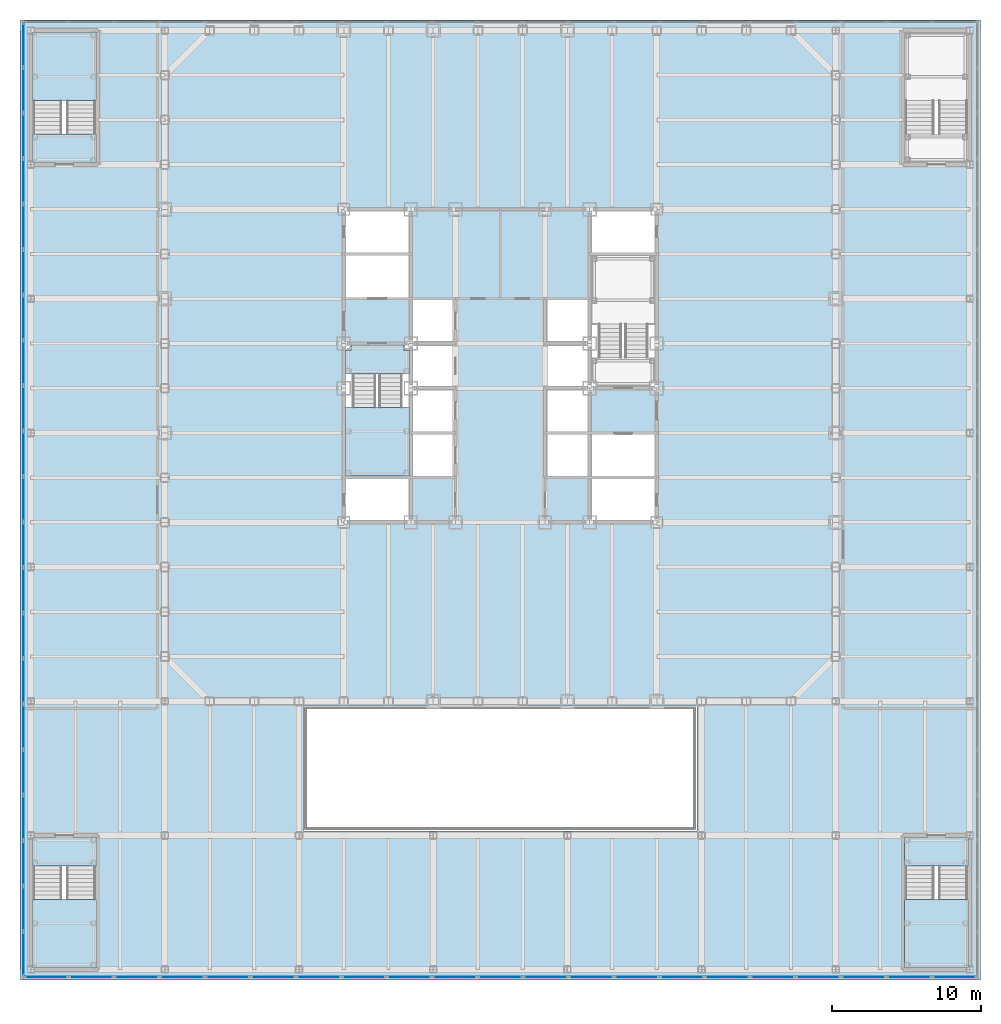
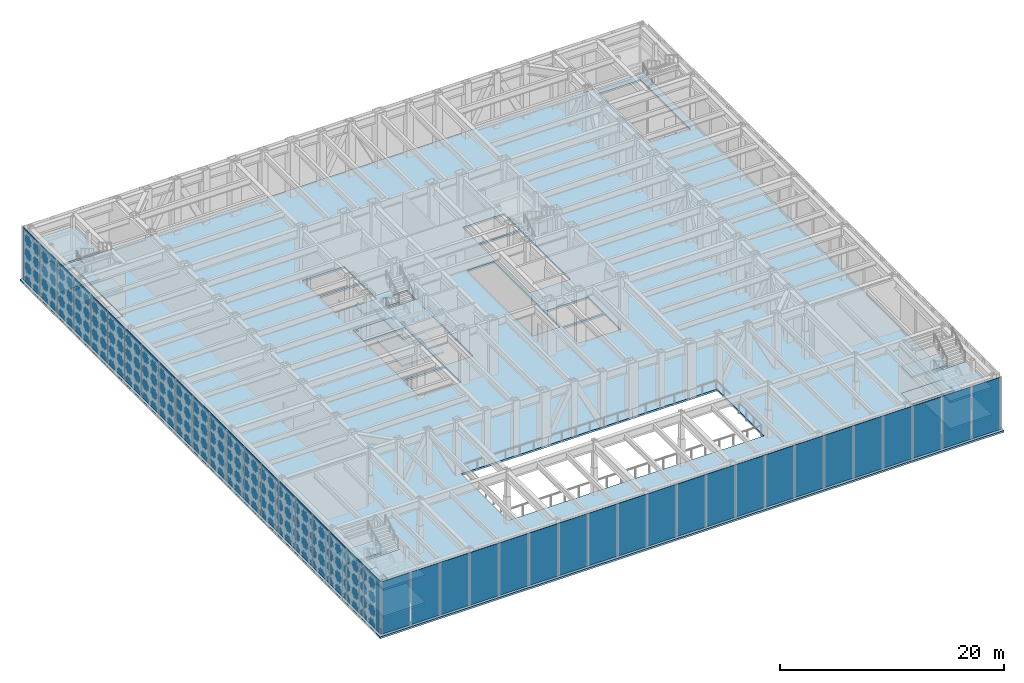
# One storey, part 13 of 32: 42 plates, 17 slabs, 6 elements without a shape of their own.
"""IFC4 building model written with IfcOpenShell, lengths in metres."""

from ifc_helpers import new_model, si_unit, direction, frame, origin, origin_2d, place, context, subcontext, project, spatial, polyline, rectangle, outline, extrude, material, layer, layer_set, type_object, element, aggregate, save


model = new_model("IFC4")

# Units and contexts
model_context = context("Model", 3, precision=1e-05, world=origin(), true_north=direction((0.0, 1.0)))
body_context = subcontext(model_context, "Body", "Model", "MODEL_VIEW")
ifc_project = project(units=[si_unit("LENGTHUNIT", "METRE"), si_unit("AREAUNIT", "SQUARE_METRE"), si_unit("VOLUMEUNIT", "CUBIC_METRE"), si_unit("PLANEANGLEUNIT", "RADIAN"), si_unit("MASSUNIT", "GRAM", prefix="KILO")], contexts=[model_context])

# Site, building, storey
site_placement = place(None, origin())
site = spatial("IfcSite", under=ifc_project, at=site_placement, CompositionType="ELEMENT")
building_placement = place(site_placement, origin())
building = spatial("IfcBuilding", under=site, at=building_placement, Name="Chuquiago Exchange Tower", CompositionType="ELEMENT")
storey_placement = place(building_placement, frame((0.0, 0.0, 13.5)))
storey = spatial("IfcBuildingStorey", under=building, at=storey_placement, Name="L02", CompositionType="ELEMENT", Elevation=13.5)

# Curtain wall, plates
ifc_material_1 = material(Name="Aluminium curtain wall system", Category="aluminium")
ifc_layer_1 = layer(ifc_material_1, 0.300048828125)
ifc_layer_set_1 = layer_set([ifc_layer_1], Name="CW4 podium curtain wall")
curtain_wall_type = type_object("IfcCurtainWallType", Name="CW4 podium curtain wall", PredefinedType="NOTDEFINED", material=ifc_layer_set_1)
curtain_wall_1_placement = place(storey_placement, origin())
curtain_wall_1 = element("IfcCurtainWall", 1, at=curtain_wall_1_placement, inside=storey, type_object=curtain_wall_type, Name="CW4 curtain wall L02", PredefinedType="NOTDEFINED")
ifc_material_2 = material(Name="Glass, insulating unit", Category="glass")
ifc_layer_2 = layer(ifc_material_2, 0.035888671875)
ifc_layer_set_2 = layer_set([ifc_layer_2], Name="CW4-P panel 36")
plate_type = type_object("IfcPlateType", Name="CW4-P panel 36", PredefinedType="CURTAIN_PANEL", material=ifc_layer_set_2)
plate_1_placement = place(storey_placement, frame((-7.95751953125, -18.5, 0.074951171875), z_axis=(0.0, 0.0, 1.0), x_axis=(1.0, 0.0, 0.0)))
plate_1 = element("IfcPlate", 2, at=plate_1_placement, type_object=plate_type, Name="CW4 panel 1.1", PredefinedType="CURTAIN_PANEL", context=body_context, shape_type="SweptSolid", body=[
    extrude(rectangle(XDim=2.93505859375, YDim=0.035888671875, at=origin_2d()), origin(), (0.0, 0.0, 1.0), 5.72509765625),
])
plate_2_placement = place(storey_placement, frame((-4.928466796875, -18.5, 0.074951171875), z_axis=(0.0, 0.0, 1.0), x_axis=(1.0, 0.0, 0.0)))
plate_2 = element("IfcPlate", 3, at=plate_2_placement, type_object=plate_type, Name="CW4 panel 2.1", PredefinedType="CURTAIN_PANEL", context=body_context, shape_type="SweptSolid", body=[
    extrude(rectangle(XDim=2.97265625, YDim=0.035888671875, at=origin_2d()), origin(), (0.0, 0.0, 1.0), 5.72509765625),
])
plate_3_placement = place(storey_placement, frame((-1.880859375, -18.5, 0.074951171875), z_axis=(0.0, 0.0, 1.0), x_axis=(1.0, 0.0, 0.0)))
plate_3 = element("IfcPlate", 4, at=plate_3_placement, type_object=plate_type, Name="CW4 panel 3.1", PredefinedType="CURTAIN_PANEL", context=body_context, shape_type="SweptSolid", body=[
    extrude(rectangle(XDim=2.97265625, YDim=0.035888671875, at=origin_2d()), origin(), (0.0, 0.0, 1.0), 5.72509765625),
])
plate_4_placement = place(storey_placement, frame((1.166748046875, -18.5, 0.074951171875), z_axis=(0.0, 0.0, 1.0), x_axis=(1.0, 0.0, 0.0)))
plate_4 = element("IfcPlate", 5, at=plate_4_placement, type_object=plate_type, Name="CW4 panel 4.1", PredefinedType="CURTAIN_PANEL", context=body_context, shape_type="SweptSolid", body=[
    extrude(rectangle(XDim=2.97265625, YDim=0.035888671875, at=origin_2d()), origin(), (0.0, 0.0, 1.0), 5.72509765625),
])
plate_5_placement = place(storey_placement, frame((4.21435546875, -18.5, 0.074951171875), z_axis=(0.0, 0.0, 1.0), x_axis=(1.0, 0.0, 0.0)))
plate_5 = element("IfcPlate", 6, at=plate_5_placement, type_object=plate_type, Name="CW4 panel 5.1", PredefinedType="CURTAIN_PANEL", context=body_context, shape_type="SweptSolid", body=[
    extrude(rectangle(XDim=2.97265625, YDim=0.035888671875, at=origin_2d()), origin(), (0.0, 0.0, 1.0), 5.72509765625),
])
plate_6_placement = place(storey_placement, frame((7.261962890625, -18.5, 0.074951171875), z_axis=(0.0, 0.0, 1.0), x_axis=(1.0, 0.0, 0.0)))
plate_6 = element("IfcPlate", 7, at=plate_6_placement, type_object=plate_type, Name="CW4 panel 6.1", PredefinedType="CURTAIN_PANEL", context=body_context, shape_type="SweptSolid", body=[
    extrude(rectangle(XDim=2.97265625, YDim=0.035888671875, at=origin_2d()), origin(), (0.0, 0.0, 1.0), 5.72509765625),
])
plate_7_placement = place(storey_placement, frame((10.3095703125, -18.5, 0.074951171875), z_axis=(0.0, 0.0, 1.0), x_axis=(1.0, 0.0, 0.0)))
plate_7 = element("IfcPlate", 8, at=plate_7_placement, type_object=plate_type, Name="CW4 panel 7.1", PredefinedType="CURTAIN_PANEL", context=body_context, shape_type="SweptSolid", body=[
    extrude(rectangle(XDim=2.97265625, YDim=0.035888671875, at=origin_2d()), origin(), (0.0, 0.0, 1.0), 5.72509765625),
])
plate_8_placement = place(storey_placement, frame((13.357177734375, -18.5, 0.074951171875), z_axis=(0.0, 0.0, 1.0), x_axis=(1.0, 0.0, 0.0)))
plate_8 = element("IfcPlate", 9, at=plate_8_placement, type_object=plate_type, Name="CW4 panel 8.1", PredefinedType="CURTAIN_PANEL", context=body_context, shape_type="SweptSolid", body=[
    extrude(rectangle(XDim=2.97265625, YDim=0.035888671875, at=origin_2d()), origin(), (0.0, 0.0, 1.0), 5.72509765625),
])
plate_9_placement = place(storey_placement, frame((16.40478515625, -18.5, 0.074951171875), z_axis=(0.0, 0.0, 1.0), x_axis=(1.0, 0.0, 0.0)))
plate_9 = element("IfcPlate", 10, at=plate_9_placement, type_object=plate_type, Name="CW4 panel 9.1", PredefinedType="CURTAIN_PANEL", context=body_context, shape_type="SweptSolid", body=[
    extrude(rectangle(XDim=2.97265625, YDim=0.035888671875, at=origin_2d()), origin(), (0.0, 0.0, 1.0), 5.72509765625),
])
plate_10_placement = place(storey_placement, frame((19.452392578125, -18.5, 0.074951171875), z_axis=(0.0, 0.0, 1.0), x_axis=(1.0, 0.0, 0.0)))
plate_10 = element("IfcPlate", 11, at=plate_10_placement, type_object=plate_type, Name="CW4 panel 10.1", PredefinedType="CURTAIN_PANEL", context=body_context, shape_type="SweptSolid", body=[
    extrude(rectangle(XDim=2.97265625, YDim=0.035888671875, at=origin_2d()), origin(), (0.0, 0.0, 1.0), 5.72509765625),
])
plate_11_placement = place(storey_placement, frame((22.5, -18.5, 0.074951171875), z_axis=(0.0, 0.0, 1.0), x_axis=(1.0, 0.0, 0.0)))
plate_11 = element("IfcPlate", 12, at=plate_11_placement, type_object=plate_type, Name="CW4 panel 11.1", PredefinedType="CURTAIN_PANEL", context=body_context, shape_type="SweptSolid", body=[
    extrude(rectangle(XDim=2.97265625, YDim=0.035888671875, at=origin_2d()), origin(), (0.0, 0.0, 1.0), 5.72509765625),
])
plate_12_placement = place(storey_placement, frame((25.547607421875, -18.5, 0.074951171875), z_axis=(0.0, 0.0, 1.0), x_axis=(1.0, 0.0, 0.0)))
plate_12 = element("IfcPlate", 13, at=plate_12_placement, type_object=plate_type, Name="CW4 panel 12.1", PredefinedType="CURTAIN_PANEL", context=body_context, shape_type="SweptSolid", body=[
    extrude(rectangle(XDim=2.97265625, YDim=0.035888671875, at=origin_2d()), origin(), (0.0, 0.0, 1.0), 5.72509765625),
])
plate_13_placement = place(storey_placement, frame((28.59521484375, -18.5, 0.074951171875), z_axis=(0.0, 0.0, 1.0), x_axis=(1.0, 0.0, 0.0)))
plate_13 = element("IfcPlate", 14, at=plate_13_placement, type_object=plate_type, Name="CW4 panel 13.1", PredefinedType="CURTAIN_PANEL", context=body_context, shape_type="SweptSolid", body=[
    extrude(rectangle(XDim=2.97265625, YDim=0.035888671875, at=origin_2d()), origin(), (0.0, 0.0, 1.0), 5.72509765625),
])
plate_14_placement = place(storey_placement, frame((31.642822265625, -18.5, 0.074951171875), z_axis=(0.0, 0.0, 1.0), x_axis=(1.0, 0.0, 0.0)))
plate_14 = element("IfcPlate", 15, at=plate_14_placement, type_object=plate_type, Name="CW4 panel 14.1", PredefinedType="CURTAIN_PANEL", context=body_context, shape_type="SweptSolid", body=[
    extrude(rectangle(XDim=2.97265625, YDim=0.035888671875, at=origin_2d()), origin(), (0.0, 0.0, 1.0), 5.72509765625),
])
plate_15_placement = place(storey_placement, frame((34.6904296875, -18.5, 0.074951171875), z_axis=(0.0, 0.0, 1.0), x_axis=(1.0, 0.0, 0.0)))
plate_15 = element("IfcPlate", 16, at=plate_15_placement, type_object=plate_type, Name="CW4 panel 15.1", PredefinedType="CURTAIN_PANEL", context=body_context, shape_type="SweptSolid", body=[
    extrude(rectangle(XDim=2.97265625, YDim=0.035888671875, at=origin_2d()), origin(), (0.0, 0.0, 1.0), 5.72509765625),
])
plate_16_placement = place(storey_placement, frame((37.738037109375, -18.5, 0.074951171875), z_axis=(0.0, 0.0, 1.0), x_axis=(1.0, 0.0, 0.0)))
plate_16 = element("IfcPlate", 17, at=plate_16_placement, type_object=plate_type, Name="CW4 panel 16.1", PredefinedType="CURTAIN_PANEL", context=body_context, shape_type="SweptSolid", body=[
    extrude(rectangle(XDim=2.97265625, YDim=0.035888671875, at=origin_2d()), origin(), (0.0, 0.0, 1.0), 5.72509765625),
])
plate_17_placement = place(storey_placement, frame((40.78564453125, -18.5, 0.074951171875), z_axis=(0.0, 0.0, 1.0), x_axis=(1.0, 0.0, 0.0)))
plate_17 = element("IfcPlate", 18, at=plate_17_placement, type_object=plate_type, Name="CW4 panel 17.1", PredefinedType="CURTAIN_PANEL", context=body_context, shape_type="SweptSolid", body=[
    extrude(rectangle(XDim=2.97265625, YDim=0.035888671875, at=origin_2d()), origin(), (0.0, 0.0, 1.0), 5.72509765625),
])
plate_18_placement = place(storey_placement, frame((43.833251953125, -18.5, 0.074951171875), z_axis=(0.0, 0.0, 1.0), x_axis=(1.0, 0.0, 0.0)))
plate_18 = element("IfcPlate", 19, at=plate_18_placement, type_object=plate_type, Name="CW4 panel 18.1", PredefinedType="CURTAIN_PANEL", context=body_context, shape_type="SweptSolid", body=[
    extrude(rectangle(XDim=2.97265625, YDim=0.035888671875, at=origin_2d()), origin(), (0.0, 0.0, 1.0), 5.72509765625),
])
plate_19_placement = place(storey_placement, frame((46.880859375, -18.5, 0.074951171875), z_axis=(0.0, 0.0, 1.0), x_axis=(1.0, 0.0, 0.0)))
plate_19 = element("IfcPlate", 20, at=plate_19_placement, type_object=plate_type, Name="CW4 panel 19.1", PredefinedType="CURTAIN_PANEL", context=body_context, shape_type="SweptSolid", body=[
    extrude(rectangle(XDim=2.97265625, YDim=0.035888671875, at=origin_2d()), origin(), (0.0, 0.0, 1.0), 5.72509765625),
])
plate_20_placement = place(storey_placement, frame((49.928466796875, -18.5, 0.074951171875), z_axis=(0.0, 0.0, 1.0), x_axis=(1.0, 0.0, 0.0)))
plate_20 = element("IfcPlate", 21, at=plate_20_placement, type_object=plate_type, Name="CW4 panel 20.1", PredefinedType="CURTAIN_PANEL", context=body_context, shape_type="SweptSolid", body=[
    extrude(rectangle(XDim=2.97265625, YDim=0.035888671875, at=origin_2d()), origin(), (0.0, 0.0, 1.0), 5.72509765625),
])
plate_21_placement = place(storey_placement, frame((52.95751953125, -18.5, 0.074951171875), z_axis=(0.0, 0.0, 1.0), x_axis=(1.0, 0.0, 0.0)))
plate_21 = element("IfcPlate", 22, at=plate_21_placement, type_object=plate_type, Name="CW4 panel 21.1", PredefinedType="CURTAIN_PANEL", context=body_context, shape_type="SweptSolid", body=[
    extrude(rectangle(XDim=2.93505859375, YDim=0.035888671875, at=origin_2d()), origin(), (0.0, 0.0, 1.0), 5.72509765625),
])
aggregate(curtain_wall_1, [plate_1, plate_2, plate_3, plate_4, plate_5, plate_6, plate_7, plate_8, plate_9, plate_10, plate_11, plate_12, plate_13, plate_14, plate_15, plate_16, plate_17, plate_18, plate_19, plate_20, plate_21])

curtain_wall_2_placement = place(storey_placement, origin())
curtain_wall_2 = element("IfcCurtainWall", 23, at=curtain_wall_2_placement, inside=storey, type_object=curtain_wall_type, Name="CW4 curtain wall L02", PredefinedType="NOTDEFINED")
plate_22_placement = place(storey_placement, frame((-9.5, 44.03076171875, 0.074951171875), z_axis=(0.0, 0.0, 1.0), x_axis=(0.0, -1.0, 0.0)))
plate_22 = element("IfcPlate", 24, at=plate_22_placement, type_object=plate_type, Name="CW4 panel 1.1", PredefinedType="CURTAIN_PANEL", context=body_context, shape_type="SweptSolid", body=[
    extrude(rectangle(XDim=2.938720703125, YDim=0.035888671875, at=origin_2d()), origin(), (0.0, 0.0, 1.0), 5.72509765625),
])
plate_23_placement = place(storey_placement, frame((-9.5, 40.998291015625, 0.074951171875), z_axis=(0.0, 0.0, 1.0), x_axis=(0.0, -1.0, 0.0)))
plate_23 = element("IfcPlate", 25, at=plate_23_placement, type_object=plate_type, Name="CW4 panel 2.1", PredefinedType="CURTAIN_PANEL", context=body_context, shape_type="SweptSolid", body=[
    extrude(rectangle(XDim=2.97607421875, YDim=0.035888671875, at=origin_2d()), origin(), (0.0, 0.0, 1.0), 5.72509765625),
])
plate_24_placement = place(storey_placement, frame((-9.5, 37.947021484375, 0.074951171875), z_axis=(0.0, 0.0, 1.0), x_axis=(0.0, -1.0, 0.0)))
plate_24 = element("IfcPlate", 26, at=plate_24_placement, type_object=plate_type, Name="CW4 panel 3.1", PredefinedType="CURTAIN_PANEL", context=body_context, shape_type="SweptSolid", body=[
    extrude(rectangle(XDim=2.97607421875, YDim=0.035888671875, at=origin_2d()), origin(), (0.0, 0.0, 1.0), 5.72509765625),
])
plate_25_placement = place(storey_placement, frame((-9.5, 34.895751953125, 0.074951171875), z_axis=(0.0, 0.0, 1.0), x_axis=(0.0, -1.0, 0.0)))
plate_25 = element("IfcPlate", 27, at=plate_25_placement, type_object=plate_type, Name="CW4 panel 4.1", PredefinedType="CURTAIN_PANEL", context=body_context, shape_type="SweptSolid", body=[
    extrude(rectangle(XDim=2.97607421875, YDim=0.035888671875, at=origin_2d()), origin(), (0.0, 0.0, 1.0), 5.72509765625),
])
plate_26_placement = place(storey_placement, frame((-9.5, 31.8447265625, 0.074951171875), z_axis=(0.0, 0.0, 1.0), x_axis=(0.0, -1.0, 0.0)))
plate_26 = element("IfcPlate", 28, at=plate_26_placement, type_object=plate_type, Name="CW4 panel 5.1", PredefinedType="CURTAIN_PANEL", context=body_context, shape_type="SweptSolid", body=[
    extrude(rectangle(XDim=2.97607421875, YDim=0.035888671875, at=origin_2d()), origin(), (0.0, 0.0, 1.0), 5.72509765625),
])
plate_27_placement = place(storey_placement, frame((-9.5, 28.79345703125, 0.074951171875), z_axis=(0.0, 0.0, 1.0), x_axis=(0.0, -1.0, 0.0)))
plate_27 = element("IfcPlate", 29, at=plate_27_placement, type_object=plate_type, Name="CW4 panel 6.1", PredefinedType="CURTAIN_PANEL", context=body_context, shape_type="SweptSolid", body=[
    extrude(rectangle(XDim=2.97607421875, YDim=0.035888671875, at=origin_2d()), origin(), (0.0, 0.0, 1.0), 5.72509765625),
])
plate_28_placement = place(storey_placement, frame((-9.5, 25.7421875, 0.074951171875), z_axis=(0.0, 0.0, 1.0), x_axis=(0.0, -1.0, 0.0)))
plate_28 = element("IfcPlate", 30, at=plate_28_placement, type_object=plate_type, Name="CW4 panel 7.1", PredefinedType="CURTAIN_PANEL", context=body_context, shape_type="SweptSolid", body=[
    extrude(rectangle(XDim=2.97607421875, YDim=0.035888671875, at=origin_2d()), origin(), (0.0, 0.0, 1.0), 5.72509765625),
])
plate_29_placement = place(storey_placement, frame((-9.5, 22.691162109375, 0.074951171875), z_axis=(0.0, 0.0, 1.0), x_axis=(0.0, -1.0, 0.0)))
plate_29 = element("IfcPlate", 31, at=plate_29_placement, type_object=plate_type, Name="CW4 panel 8.1", PredefinedType="CURTAIN_PANEL", context=body_context, shape_type="SweptSolid", body=[
    extrude(rectangle(XDim=2.97607421875, YDim=0.035888671875, at=origin_2d()), origin(), (0.0, 0.0, 1.0), 5.72509765625),
])
plate_30_placement = place(storey_placement, frame((-9.5, 19.639892578125, 0.074951171875), z_axis=(0.0, 0.0, 1.0), x_axis=(0.0, -1.0, 0.0)))
plate_30 = element("IfcPlate", 32, at=plate_30_placement, type_object=plate_type, Name="CW4 panel 9.1", PredefinedType="CURTAIN_PANEL", context=body_context, shape_type="SweptSolid", body=[
    extrude(rectangle(XDim=2.97607421875, YDim=0.035888671875, at=origin_2d()), origin(), (0.0, 0.0, 1.0), 5.72509765625),
])
plate_31_placement = place(storey_placement, frame((-9.5, 16.588623046875, 0.074951171875), z_axis=(0.0, 0.0, 1.0), x_axis=(0.0, -1.0, 0.0)))
plate_31 = element("IfcPlate", 33, at=plate_31_placement, type_object=plate_type, Name="CW4 panel 10.1", PredefinedType="CURTAIN_PANEL", context=body_context, shape_type="SweptSolid", body=[
    extrude(rectangle(XDim=2.97607421875, YDim=0.035888671875, at=origin_2d()), origin(), (0.0, 0.0, 1.0), 5.72509765625),
])
plate_32_placement = place(storey_placement, frame((-9.5, 13.53759765625, 0.074951171875), z_axis=(0.0, 0.0, 1.0), x_axis=(0.0, -1.0, 0.0)))
plate_32 = element("IfcPlate", 34, at=plate_32_placement, type_object=plate_type, Name="CW4 panel 11.1", PredefinedType="CURTAIN_PANEL", context=body_context, shape_type="SweptSolid", body=[
    extrude(rectangle(XDim=2.97607421875, YDim=0.035888671875, at=origin_2d()), origin(), (0.0, 0.0, 1.0), 5.72509765625),
])
plate_33_placement = place(storey_placement, frame((-9.5, 10.486328125, 0.074951171875), z_axis=(0.0, 0.0, 1.0), x_axis=(0.0, -1.0, 0.0)))
plate_33 = element("IfcPlate", 35, at=plate_33_placement, type_object=plate_type, Name="CW4 panel 12.1", PredefinedType="CURTAIN_PANEL", context=body_context, shape_type="SweptSolid", body=[
    extrude(rectangle(XDim=2.97607421875, YDim=0.035888671875, at=origin_2d()), origin(), (0.0, 0.0, 1.0), 5.72509765625),
])
plate_34_placement = place(storey_placement, frame((-9.5, 7.43505859375, 0.074951171875), z_axis=(0.0, 0.0, 1.0), x_axis=(0.0, -1.0, 0.0)))
plate_34 = element("IfcPlate", 36, at=plate_34_placement, type_object=plate_type, Name="CW4 panel 13.1", PredefinedType="CURTAIN_PANEL", context=body_context, shape_type="SweptSolid", body=[
    extrude(rectangle(XDim=2.97607421875, YDim=0.035888671875, at=origin_2d()), origin(), (0.0, 0.0, 1.0), 5.72509765625),
])
plate_35_placement = place(storey_placement, frame((-9.5, 4.384033203125, 0.074951171875), z_axis=(0.0, 0.0, 1.0), x_axis=(0.0, -1.0, 0.0)))
plate_35 = element("IfcPlate", 37, at=plate_35_placement, type_object=plate_type, Name="CW4 panel 14.1", PredefinedType="CURTAIN_PANEL", context=body_context, shape_type="SweptSolid", body=[
    extrude(rectangle(XDim=2.97607421875, YDim=0.035888671875, at=origin_2d()), origin(), (0.0, 0.0, 1.0), 5.72509765625),
])
plate_36_placement = place(storey_placement, frame((-9.5, 1.332763671875, 0.074951171875), z_axis=(0.0, 0.0, 1.0), x_axis=(0.0, -1.0, 0.0)))
plate_36 = element("IfcPlate", 38, at=plate_36_placement, type_object=plate_type, Name="CW4 panel 15.1", PredefinedType="CURTAIN_PANEL", context=body_context, shape_type="SweptSolid", body=[
    extrude(rectangle(XDim=2.97607421875, YDim=0.035888671875, at=origin_2d()), origin(), (0.0, 0.0, 1.0), 5.72509765625),
])
plate_37_placement = place(storey_placement, frame((-9.5, -1.718505859375, 0.074951171875), z_axis=(0.0, 0.0, 1.0), x_axis=(0.0, -1.0, 0.0)))
plate_37 = element("IfcPlate", 39, at=plate_37_placement, type_object=plate_type, Name="CW4 panel 16.1", PredefinedType="CURTAIN_PANEL", context=body_context, shape_type="SweptSolid", body=[
    extrude(rectangle(XDim=2.97607421875, YDim=0.035888671875, at=origin_2d()), origin(), (0.0, 0.0, 1.0), 5.72509765625),
])
plate_38_placement = place(storey_placement, frame((-9.5, -4.76953125, 0.074951171875), z_axis=(0.0, 0.0, 1.0), x_axis=(0.0, -1.0, 0.0)))
plate_38 = element("IfcPlate", 40, at=plate_38_placement, type_object=plate_type, Name="CW4 panel 17.1", PredefinedType="CURTAIN_PANEL", context=body_context, shape_type="SweptSolid", body=[
    extrude(rectangle(XDim=2.97607421875, YDim=0.035888671875, at=origin_2d()), origin(), (0.0, 0.0, 1.0), 5.72509765625),
])
plate_39_placement = place(storey_placement, frame((-9.5, -7.82080078125, 0.074951171875), z_axis=(0.0, 0.0, 1.0), x_axis=(0.0, -1.0, 0.0)))
plate_39 = element("IfcPlate", 41, at=plate_39_placement, type_object=plate_type, Name="CW4 panel 18.1", PredefinedType="CURTAIN_PANEL", context=body_context, shape_type="SweptSolid", body=[
    extrude(rectangle(XDim=2.97607421875, YDim=0.035888671875, at=origin_2d()), origin(), (0.0, 0.0, 1.0), 5.72509765625),
])
plate_40_placement = place(storey_placement, frame((-9.5, -10.8720703125, 0.074951171875), z_axis=(0.0, 0.0, 1.0), x_axis=(0.0, -1.0, 0.0)))
plate_40 = element("IfcPlate", 42, at=plate_40_placement, type_object=plate_type, Name="CW4 panel 19.1", PredefinedType="CURTAIN_PANEL", context=body_context, shape_type="SweptSolid", body=[
    extrude(rectangle(XDim=2.97607421875, YDim=0.035888671875, at=origin_2d()), origin(), (0.0, 0.0, 1.0), 5.72509765625),
])
plate_41_placement = place(storey_placement, frame((-9.5, -13.923095703125, 0.074951171875), z_axis=(0.0, 0.0, 1.0), x_axis=(0.0, -1.0, 0.0)))
plate_41 = element("IfcPlate", 43, at=plate_41_placement, type_object=plate_type, Name="CW4 panel 20.1", PredefinedType="CURTAIN_PANEL", context=body_context, shape_type="SweptSolid", body=[
    extrude(rectangle(XDim=2.97607421875, YDim=0.035888671875, at=origin_2d()), origin(), (0.0, 0.0, 1.0), 5.72509765625),
])
plate_42_placement = place(storey_placement, frame((-9.5, -16.95556640625, 0.074951171875), z_axis=(0.0, 0.0, 1.0), x_axis=(0.0, -1.0, 0.0)))
plate_42 = element("IfcPlate", 44, at=plate_42_placement, type_object=plate_type, Name="CW4 panel 21.1", PredefinedType="CURTAIN_PANEL", context=body_context, shape_type="SweptSolid", body=[
    extrude(rectangle(XDim=2.938720703125, YDim=0.035888671875, at=origin_2d()), origin(), (0.0, 0.0, 1.0), 5.72509765625),
])
aggregate(curtain_wall_2, [plate_22, plate_23, plate_24, plate_25, plate_26, plate_27, plate_28, plate_29, plate_30, plate_31, plate_32, plate_33, plate_34, plate_35, plate_36, plate_37, plate_38, plate_39, plate_40, plate_41, plate_42])

# Slab
ifc_material_3 = material(Name="Concrete C30/37", Category="concrete")
ifc_layer_3 = layer(ifc_material_3, 0.199951171875)
ifc_layer_set_3 = layer_set([ifc_layer_3], Name="FS2 podium floor 200")
slab_type_1 = type_object("IfcSlabType", Name="FS2 podium floor 200", PredefinedType="FLOOR", material=ifc_layer_set_3)
slab_1_placement = place(storey_placement, frame((0.0, 0.0, -0.199951171875)))
element("IfcSlab", 45, at=slab_1_placement, inside=storey, type_object=slab_type_1, Name="L02 floor slab", PredefinedType="FLOOR", context=body_context, shape_type="SweptSolid", body=[
    extrude(outline(polyline([(54.699951171875, -18.699951171875), (54.699951171875, 45.699951171875), (-9.699951171875, 45.699951171875), (-9.699951171875, -18.699951171875), (54.699951171875, -18.699951171875)]), holes=[polyline([(16.39990234375, 15.10009765625), (12.10009765625, 15.10009765625), (12.10009765625, 23.89990234375), (16.39990234375, 23.89990234375), (16.39990234375, 15.10009765625)]), polyline([(32.89990234375, 21.10009765625), (28.60009765625, 21.10009765625), (28.60009765625, 29.89990234375), (32.89990234375, 29.89990234375), (32.89990234375, 21.10009765625)]), polyline([(16.39990234375, 12.10009765625), (12.10009765625, 12.10009765625), (12.10009765625, 14.89990234375), (16.39990234375, 14.89990234375), (16.39990234375, 12.10009765625)]), polyline([(16.39990234375, 30.10009765625), (12.10009765625, 30.10009765625), (12.10009765625, 32.89990234375), (16.39990234375, 32.89990234375), (16.39990234375, 30.10009765625)]), polyline([(32.89990234375, 12.10009765625), (28.60009765625, 12.10009765625), (28.60009765625, 14.89990234375), (32.89990234375, 14.89990234375), (32.89990234375, 12.10009765625)]), polyline([(32.89990234375, 30.10009765625), (28.60009765625, 30.10009765625), (28.60009765625, 32.89990234375), (32.89990234375, 32.89990234375), (32.89990234375, 30.10009765625)]), polyline([(16.39990234375, 27.10009765625), (12.10009765625, 27.10009765625), (12.10009765625, 29.89990234375), (16.39990234375, 29.89990234375), (16.39990234375, 27.10009765625)]), polyline([(32.89990234375, 15.10009765625), (28.60009765625, 15.10009765625), (28.60009765625, 17.89990234375), (32.89990234375, 17.89990234375), (32.89990234375, 15.10009765625)]), polyline([(19.39990234375, 15.10009765625), (16.60009765625, 15.10009765625), (16.60009765625, 26.89990234375), (19.39990234375, 26.89990234375), (19.39990234375, 15.10009765625)]), polyline([(28.39990234375, 15.10009765625), (25.60009765625, 15.10009765625), (25.60009765625, 26.89990234375), (28.39990234375, 26.89990234375), (28.39990234375, 15.10009765625)]), polyline([(-4.60009765625, -17.89990234375), (-8.89990234375, -17.89990234375), (-8.89990234375, -9.10009765625), (-4.60009765625, -9.10009765625), (-4.60009765625, -17.89990234375)]), polyline([(53.89990234375, -17.89990234375), (49.60009765625, -17.89990234375), (49.60009765625, -9.10009765625), (53.89990234375, -9.10009765625), (53.89990234375, -17.89990234375)]), polyline([(-4.60009765625, 36.10009765625), (-8.89990234375, 36.10009765625), (-8.89990234375, 44.89990234375), (-4.60009765625, 44.89990234375), (-4.60009765625, 36.10009765625)]), polyline([(53.89990234375, 36.10009765625), (49.60009765625, 36.10009765625), (49.60009765625, 44.89990234375), (53.89990234375, 44.89990234375), (53.89990234375, 36.10009765625)]), polyline([(35.699951171875, -8.699951171875), (35.699951171875, -0.300048828125), (9.300048828125, -0.300048828125), (9.300048828125, -8.699951171875), (35.699951171875, -8.699951171875)])]), origin(), (0.0, 0.0, 1.0), 0.199951171875),
])

# Stair, slabs
ifc_material_4 = material(Name="Concrete C30/37, precast", Category="concrete")
stair_type_1 = type_object("IfcStairType", Name="ST1 double half-turn stair 6000", PredefinedType="DOUBLE_RETURN_STAIR", material=ifc_material_4)
stair_1_placement = place(storey_placement, origin())
stair_1 = element("IfcStair", 46, at=stair_1_placement, inside=storey, type_object=stair_type_1, Name="Stair ST1 L02", PredefinedType="DOUBLE_RETURN_STAIR")
ifc_material_5 = material(Name="Concrete C30/37, precast", Category="concrete")
ifc_layer_4 = layer(ifc_material_5, 0.199951171875)
ifc_layer_set_4 = layer_set([ifc_layer_4], Name="ST-L landing 200")
slab_type_2 = type_object("IfcSlabType", Name="ST-L landing 200", PredefinedType="LANDING", material=ifc_layer_set_4)
slab_2_placement = place(storey_placement, frame((0.0, 0.0, -0.199951171875)))
slab_2 = element("IfcSlab", 47, at=slab_2_placement, type_object=slab_type_2, Name="ST1 landing 1", PredefinedType="LANDING", context=body_context, shape_type="SweptSolid", body=[
    extrude(outline(polyline([(12.47509765625, 23.89990234375), (16.02490234375, 23.89990234375), (16.02490234375, 23.52490234375), (16.39990234375, 23.52490234375), (16.39990234375, 21.949951171875), (12.10009765625, 21.949951171875), (12.10009765625, 23.52490234375), (12.47509765625, 23.52490234375), (12.47509765625, 23.89990234375)])), origin(), (0.0, 0.0, 1.0), 0.199951171875),
])
slab_3_placement = place(storey_placement, frame((0.0, 0.0, 1.300048828125)))
slab_3 = element("IfcSlab", 48, at=slab_3_placement, type_object=slab_type_2, Name="ST1 landing 2", PredefinedType="LANDING", context=body_context, shape_type="SweptSolid", body=[
    extrude(outline(polyline([(12.10009765625, 19.7099609375), (16.39990234375, 19.7099609375), (16.39990234375, 15.10009765625), (12.10009765625, 15.10009765625), (12.10009765625, 19.7099609375)])), origin(), (0.0, 0.0, 1.0), 0.199951171875),
])
slab_4_placement = place(storey_placement, frame((0.0, 0.0, 2.800048828125)))
slab_4 = element("IfcSlab", 49, at=slab_4_placement, type_object=slab_type_2, Name="ST1 landing 3", PredefinedType="LANDING", context=body_context, shape_type="SweptSolid", body=[
    extrude(outline(polyline([(12.47509765625, 23.89990234375), (16.02490234375, 23.89990234375), (16.02490234375, 23.52490234375), (16.39990234375, 23.52490234375), (16.39990234375, 21.949951171875), (12.10009765625, 21.949951171875), (12.10009765625, 23.52490234375), (12.47509765625, 23.52490234375), (12.47509765625, 23.89990234375)])), origin(), (0.0, 0.0, 1.0), 0.199951171875),
])
slab_5_placement = place(storey_placement, frame((0.0, 0.0, 4.300048828125)))
slab_5 = element("IfcSlab", 50, at=slab_5_placement, type_object=slab_type_2, Name="ST1 landing 4", PredefinedType="LANDING", context=body_context, shape_type="SweptSolid", body=[
    extrude(outline(polyline([(12.10009765625, 19.7099609375), (16.39990234375, 19.7099609375), (16.39990234375, 15.10009765625), (12.10009765625, 15.10009765625), (12.10009765625, 19.7099609375)])), origin(), (0.0, 0.0, 1.0), 0.199951171875),
])
aggregate(stair_1, [slab_2, slab_3, slab_4, slab_5])

ifc_material_6 = material(Name="Concrete C30/37, precast", Category="concrete")
stair_type_2 = type_object("IfcStairType", Name="PS1 double half-turn stair 6000", PredefinedType="DOUBLE_RETURN_STAIR", material=ifc_material_6)
stair_2_placement = place(storey_placement, origin())
stair_2 = element("IfcStair", 51, at=stair_2_placement, inside=storey, type_object=stair_type_2, Name="Stair PS1 L02", PredefinedType="DOUBLE_RETURN_STAIR")
slab_6_placement = place(storey_placement, frame((0.0, 0.0, -0.199951171875)))
slab_6 = element("IfcSlab", 52, at=slab_6_placement, type_object=slab_type_2, Name="PS1 landing 1", PredefinedType="LANDING", context=body_context, shape_type="SweptSolid", body=[
    extrude(outline(polyline([(-4.60009765625, -11.050048828125), (-4.60009765625, -9.10009765625), (-8.89990234375, -9.10009765625), (-8.89990234375, -11.050048828125), (-4.60009765625, -11.050048828125)])), origin(), (0.0, 0.0, 1.0), 0.199951171875),
])
slab_7_placement = place(storey_placement, frame((0.0, 0.0, 1.300048828125)))
slab_7 = element("IfcSlab", 53, at=slab_7_placement, type_object=slab_type_2, Name="PS1 landing 2", PredefinedType="LANDING", context=body_context, shape_type="SweptSolid", body=[
    extrude(outline(polyline([(-8.89990234375, -13.2900390625), (-4.60009765625, -13.2900390625), (-4.60009765625, -17.89990234375), (-8.89990234375, -17.89990234375), (-8.89990234375, -13.2900390625)])), origin(), (0.0, 0.0, 1.0), 0.199951171875),
])
slab_8_placement = place(storey_placement, frame((0.0, 0.0, 2.800048828125)))
slab_8 = element("IfcSlab", 54, at=slab_8_placement, type_object=slab_type_2, Name="PS1 landing 3", PredefinedType="LANDING", context=body_context, shape_type="SweptSolid", body=[
    extrude(outline(polyline([(-8.89990234375, -9.10009765625), (-4.60009765625, -9.10009765625), (-4.60009765625, -11.050048828125), (-8.89990234375, -11.050048828125), (-8.89990234375, -9.10009765625)])), origin(), (0.0, 0.0, 1.0), 0.199951171875),
])
slab_9_placement = place(storey_placement, frame((0.0, 0.0, 4.300048828125)))
slab_9 = element("IfcSlab", 55, at=slab_9_placement, type_object=slab_type_2, Name="PS1 landing 4", PredefinedType="LANDING", context=body_context, shape_type="SweptSolid", body=[
    extrude(outline(polyline([(-8.89990234375, -13.2900390625), (-4.60009765625, -13.2900390625), (-4.60009765625, -17.89990234375), (-8.89990234375, -17.89990234375), (-8.89990234375, -13.2900390625)])), origin(), (0.0, 0.0, 1.0), 0.199951171875),
])
aggregate(stair_2, [slab_6, slab_7, slab_8, slab_9])

ifc_material_7 = material(Name="Concrete C30/37, precast", Category="concrete")
stair_type_3 = type_object("IfcStairType", Name="PS2 double half-turn stair 6000", PredefinedType="DOUBLE_RETURN_STAIR", material=ifc_material_7)
stair_3_placement = place(storey_placement, origin())
stair_3 = element("IfcStair", 56, at=stair_3_placement, inside=storey, type_object=stair_type_3, Name="Stair PS2 L02", PredefinedType="DOUBLE_RETURN_STAIR")
slab_10_placement = place(storey_placement, frame((0.0, 0.0, -0.199951171875)))
slab_10 = element("IfcSlab", 57, at=slab_10_placement, type_object=slab_type_2, Name="PS2 landing 1", PredefinedType="LANDING", context=body_context, shape_type="SweptSolid", body=[
    extrude(outline(polyline([(53.89990234375, -11.050048828125), (53.89990234375, -9.10009765625), (49.60009765625, -9.10009765625), (49.60009765625, -11.050048828125), (53.89990234375, -11.050048828125)])), origin(), (0.0, 0.0, 1.0), 0.199951171875),
])
slab_11_placement = place(storey_placement, frame((0.0, 0.0, 1.300048828125)))
slab_11 = element("IfcSlab", 58, at=slab_11_placement, type_object=slab_type_2, Name="PS2 landing 2", PredefinedType="LANDING", context=body_context, shape_type="SweptSolid", body=[
    extrude(outline(polyline([(49.60009765625, -13.2900390625), (53.89990234375, -13.2900390625), (53.89990234375, -17.89990234375), (49.60009765625, -17.89990234375), (49.60009765625, -13.2900390625)])), origin(), (0.0, 0.0, 1.0), 0.199951171875),
])
slab_12_placement = place(storey_placement, frame((0.0, 0.0, 2.800048828125)))
slab_12 = element("IfcSlab", 59, at=slab_12_placement, type_object=slab_type_2, Name="PS2 landing 3", PredefinedType="LANDING", context=body_context, shape_type="SweptSolid", body=[
    extrude(outline(polyline([(49.60009765625, -9.10009765625), (53.89990234375, -9.10009765625), (53.89990234375, -11.050048828125), (49.60009765625, -11.050048828125), (49.60009765625, -9.10009765625)])), origin(), (0.0, 0.0, 1.0), 0.199951171875),
])
slab_13_placement = place(storey_placement, frame((0.0, 0.0, 4.300048828125)))
slab_13 = element("IfcSlab", 60, at=slab_13_placement, type_object=slab_type_2, Name="PS2 landing 4", PredefinedType="LANDING", context=body_context, shape_type="SweptSolid", body=[
    extrude(outline(polyline([(49.60009765625, -13.2900390625), (53.89990234375, -13.2900390625), (53.89990234375, -17.89990234375), (49.60009765625, -17.89990234375), (49.60009765625, -13.2900390625)])), origin(), (0.0, 0.0, 1.0), 0.199951171875),
])
aggregate(stair_3, [slab_10, slab_11, slab_12, slab_13])

ifc_material_8 = material(Name="Concrete C30/37, precast", Category="concrete")
stair_type_4 = type_object("IfcStairType", Name="PS3 double half-turn stair 6000", PredefinedType="DOUBLE_RETURN_STAIR", material=ifc_material_8)
stair_4_placement = place(storey_placement, origin())
stair_4 = element("IfcStair", 61, at=stair_4_placement, inside=storey, type_object=stair_type_4, Name="Stair PS3 L02", PredefinedType="DOUBLE_RETURN_STAIR")
slab_14_placement = place(storey_placement, frame((0.0, 0.0, -0.199951171875)))
slab_14 = element("IfcSlab", 62, at=slab_14_placement, type_object=slab_type_2, Name="PS3 landing 1", PredefinedType="LANDING", context=body_context, shape_type="SweptSolid", body=[
    extrude(outline(polyline([(-4.60009765625, 36.10009765625), (-4.60009765625, 38.050048828125), (-8.89990234375, 38.050048828125), (-8.89990234375, 36.10009765625), (-4.60009765625, 36.10009765625)])), origin(), (0.0, 0.0, 1.0), 0.199951171875),
])
slab_15_placement = place(storey_placement, frame((0.0, 0.0, 1.300048828125)))
slab_15 = element("IfcSlab", 63, at=slab_15_placement, type_object=slab_type_2, Name="PS3 landing 2", PredefinedType="LANDING", context=body_context, shape_type="SweptSolid", body=[
    extrude(outline(polyline([(-8.89990234375, 44.89990234375), (-4.60009765625, 44.89990234375), (-4.60009765625, 40.2900390625), (-8.89990234375, 40.2900390625), (-8.89990234375, 44.89990234375)])), origin(), (0.0, 0.0, 1.0), 0.199951171875),
])
slab_16_placement = place(storey_placement, frame((0.0, 0.0, 2.800048828125)))
slab_16 = element("IfcSlab", 64, at=slab_16_placement, type_object=slab_type_2, Name="PS3 landing 3", PredefinedType="LANDING", context=body_context, shape_type="SweptSolid", body=[
    extrude(outline(polyline([(-8.89990234375, 38.050048828125), (-4.60009765625, 38.050048828125), (-4.60009765625, 36.10009765625), (-8.89990234375, 36.10009765625), (-8.89990234375, 38.050048828125)])), origin(), (0.0, 0.0, 1.0), 0.199951171875),
])
slab_17_placement = place(storey_placement, frame((0.0, 0.0, 4.300048828125)))
slab_17 = element("IfcSlab", 65, at=slab_17_placement, type_object=slab_type_2, Name="PS3 landing 4", PredefinedType="LANDING", context=body_context, shape_type="SweptSolid", body=[
    extrude(outline(polyline([(-8.89990234375, 44.89990234375), (-4.60009765625, 44.89990234375), (-4.60009765625, 40.2900390625), (-8.89990234375, 40.2900390625), (-8.89990234375, 44.89990234375)])), origin(), (0.0, 0.0, 1.0), 0.199951171875),
])
aggregate(stair_4, [slab_14, slab_15, slab_16, slab_17])

save(model, "model.ifc")
